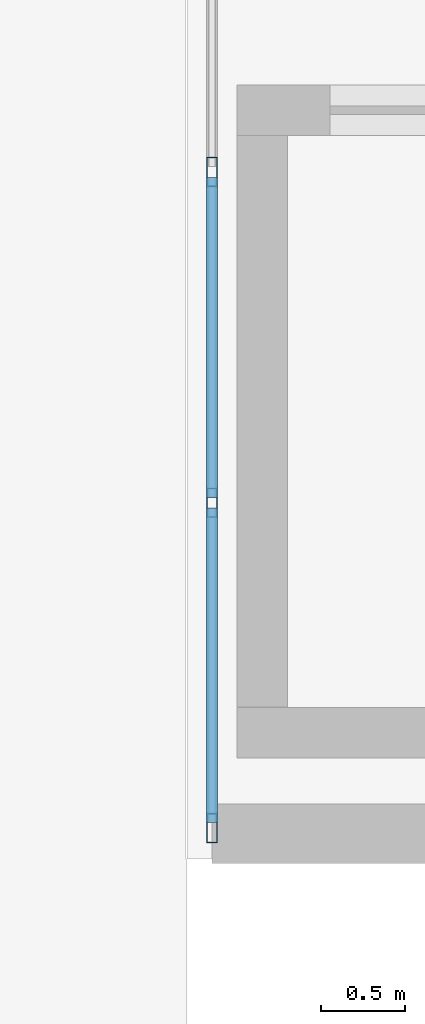
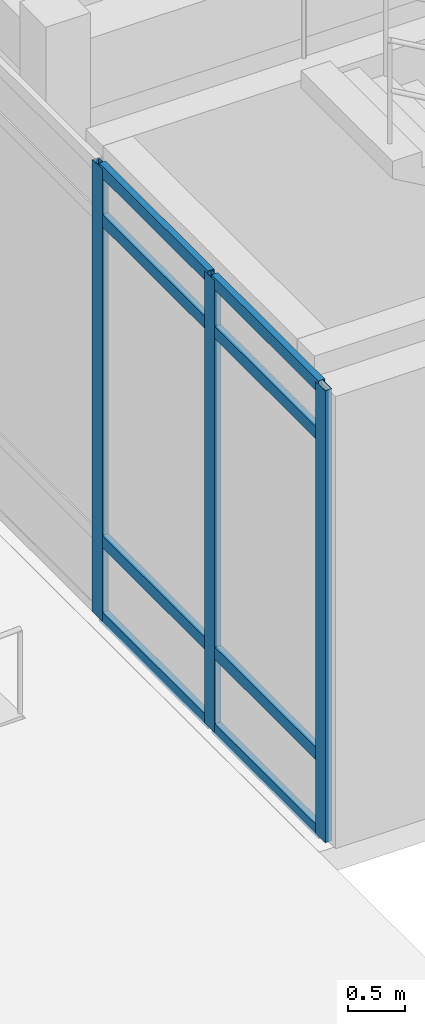
# One storey, part 73 of 121: 11 members, 1 element without a shape of its own.
"""IFC4 building model written with IfcOpenShell, lengths in metres."""

from ifc_helpers import new_model, si_unit, direction, frame, origin, origin_2d, place, context, subcontext, project, spatial, hollow_rectangle, extrude, material, layer, layer_set, material_profile, profile_set, type_object, element, aggregate, save


model = new_model("IFC4")

# Units and contexts
model_context = context("Model", 3, precision=1e-05, world=origin(), true_north=direction((0.0, 1.0)))
body_context = subcontext(model_context, "Body", "Model", "MODEL_VIEW")
ifc_project = project(units=[si_unit("LENGTHUNIT", "METRE"), si_unit("AREAUNIT", "SQUARE_METRE"), si_unit("VOLUMEUNIT", "CUBIC_METRE"), si_unit("PLANEANGLEUNIT", "RADIAN"), si_unit("MASSUNIT", "GRAM", prefix="KILO")], contexts=[model_context])

# Site, building, storey
site_placement = place(None, origin())
site = spatial("IfcSite", under=ifc_project, at=site_placement, CompositionType="ELEMENT")
building_placement = place(site_placement, origin())
building = spatial("IfcBuilding", under=site, at=building_placement, Name="Valcora Specialist Clinic", CompositionType="ELEMENT")
storey_placement = place(building_placement, origin())
storey = spatial("IfcBuildingStorey", under=building, at=storey_placement, Name="L00", CompositionType="ELEMENT", Elevation=0.0)

# Curtain wall, members
ifc_material = material(Name="Anodized Bronze Aluminium 6063-T6", Category="aluminium")
ifc_layer = layer(ifc_material, 0.175048828125)
ifc_layer_set = layer_set([ifc_layer], Name="Anodized Bronze Aluminium 6063-T6")
curtain_wall_type = type_object("IfcCurtainWallType", Name="TY-CW-HAL18", PredefinedType="NOTDEFINED", material=ifc_layer_set)
curtain_wall_placement = place(storey_placement, origin())
curtain_wall = element("IfcCurtainWall", 1, at=curtain_wall_placement, inside=storey, type_object=curtain_wall_type, Name="Curtain wall CW-L00-015", PredefinedType="NOTDEFINED")
ifc_material_profile_1 = material_profile(ifc_material, hollow_rectangle(XDim=0.06494140625, YDim=0.175048828125, WallThickness=0.00390625, at=origin_2d()), Name="AL-MUL-65X175")
ifc_profile_set_1 = profile_set([ifc_material_profile_1], Name="Anodized Bronze Aluminium 6063-T6")
member_type_1 = type_object("IfcMemberType", Name="TY-CWM-65X175", PredefinedType="MULLION", material=ifc_profile_set_1)
member_1_placement = place(storey_placement, frame((131.75, 38.1826171875, 0.0), z_axis=(0.0, 0.0, 1.0), x_axis=(-1.0, 0.0, 0.0)))
member_1 = element("IfcMember", 2, at=member_1_placement, type_object=member_type_1, Name="CW-HAL-18 mullion 1", PredefinedType="MULLION", context=body_context, shape_type="SweptSolid", body=[
    extrude(hollow_rectangle(XDim=0.06494140625, YDim=0.175048828125, WallThickness=0.00390625, at=origin_2d()), origin(), (0.0, 0.0, 1.0), 4.824951171875),
])
member_2_placement = place(storey_placement, frame((131.75, 40.11669921875, 0.0), z_axis=(0.0, 0.0, 1.0), x_axis=(-1.0, 0.0, 0.0)))
member_2 = element("IfcMember", 3, at=member_2_placement, type_object=member_type_1, Name="CW-HAL-18 mullion 2", PredefinedType="MULLION", context=body_context, shape_type="SweptSolid", body=[
    extrude(hollow_rectangle(XDim=0.06494140625, YDim=0.175048828125, WallThickness=0.00390625, at=origin_2d()), origin(), (0.0, 0.0, 1.0), 4.824951171875),
])
member_3_placement = place(storey_placement, frame((131.75, 42.083251953125, 0.0), z_axis=(0.0, 0.0, 1.0), x_axis=(-1.0, 0.0, 0.0)))
member_3 = element("IfcMember", 4, at=member_3_placement, type_object=member_type_1, Name="CW-HAL-18 mullion 3", PredefinedType="MULLION", context=body_context, shape_type="SweptSolid", body=[
    extrude(hollow_rectangle(XDim=0.06494140625, YDim=0.175048828125, WallThickness=0.00390625, at=origin_2d()), origin(), (0.0, 0.0, 1.0), 4.824951171875),
])
ifc_material_profile_2 = material_profile(ifc_material, hollow_rectangle(XDim=0.06494140625, YDim=0.1298828125, WallThickness=0.00390625, at=origin_2d()), Name="AL-TRN-65X130")
ifc_profile_set_2 = profile_set([ifc_material_profile_2], Name="Anodized Bronze Aluminium 6063-T6")
member_type_2 = type_object("IfcMemberType", Name="TY-CWT-65X130", PredefinedType="USERDEFINED", material=ifc_profile_set_2)
member_4_placement = place(storey_placement, frame((131.75, 38.215087890625, 0.032470703125), z_axis=(0.0, 1.0, 0.0), x_axis=(-1.0, 0.0, 0.0)))
member_4 = element("IfcMember", 5, at=member_4_placement, type_object=member_type_2, Name="CW-HAL-18 transom 1.1", ObjectType="TRANSOM", PredefinedType="USERDEFINED", context=body_context, shape_type="SweptSolid", body=[
    extrude(hollow_rectangle(XDim=0.06494140625, YDim=0.1298828125, WallThickness=0.00390625, at=origin_2d()), origin(), (0.0, 0.0, 1.0), 1.869140625),
])
member_5_placement = place(storey_placement, frame((131.75, 38.215087890625, 0.85009765625), z_axis=(0.0, 1.0, 0.0), x_axis=(-1.0, 0.0, 0.0)))
member_5 = element("IfcMember", 6, at=member_5_placement, type_object=member_type_2, Name="CW-HAL-18 transom 1.2", ObjectType="TRANSOM", PredefinedType="USERDEFINED", context=body_context, shape_type="SweptSolid", body=[
    extrude(hollow_rectangle(XDim=0.06494140625, YDim=0.1298828125, WallThickness=0.00390625, at=origin_2d()), origin(), (0.0, 0.0, 1.0), 1.869140625),
])
member_6_placement = place(storey_placement, frame((131.75, 38.215087890625, 4.27490234375), z_axis=(0.0, 1.0, 0.0), x_axis=(-1.0, 0.0, 0.0)))
member_6 = element("IfcMember", 7, at=member_6_placement, type_object=member_type_2, Name="CW-HAL-18 transom 1.3", ObjectType="TRANSOM", PredefinedType="USERDEFINED", context=body_context, shape_type="SweptSolid", body=[
    extrude(hollow_rectangle(XDim=0.06494140625, YDim=0.1298828125, WallThickness=0.00390625, at=origin_2d()), origin(), (0.0, 0.0, 1.0), 1.869140625),
])
member_7_placement = place(storey_placement, frame((131.75, 38.215087890625, 4.79248046875), z_axis=(0.0, 1.0, 0.0), x_axis=(-1.0, 0.0, 0.0)))
member_7 = element("IfcMember", 8, at=member_7_placement, type_object=member_type_2, Name="CW-HAL-18 transom 1.4", ObjectType="TRANSOM", PredefinedType="USERDEFINED", context=body_context, shape_type="SweptSolid", body=[
    extrude(hollow_rectangle(XDim=0.06494140625, YDim=0.1298828125, WallThickness=0.00390625, at=origin_2d()), origin(), (0.0, 0.0, 1.0), 1.869140625),
])
member_8_placement = place(storey_placement, frame((131.75, 40.149169921875, 0.032470703125), z_axis=(0.0, 1.0, 0.0), x_axis=(-1.0, 0.0, 0.0)))
member_8 = element("IfcMember", 9, at=member_8_placement, type_object=member_type_2, Name="CW-HAL-18 transom 2.1", ObjectType="TRANSOM", PredefinedType="USERDEFINED", context=body_context, shape_type="SweptSolid", body=[
    extrude(hollow_rectangle(XDim=0.06494140625, YDim=0.1298828125, WallThickness=0.00390625, at=origin_2d()), origin(), (0.0, 0.0, 1.0), 1.901611328125),
])
member_9_placement = place(storey_placement, frame((131.75, 40.149169921875, 0.85009765625), z_axis=(0.0, 1.0, 0.0), x_axis=(-1.0, 0.0, 0.0)))
member_9 = element("IfcMember", 10, at=member_9_placement, type_object=member_type_2, Name="CW-HAL-18 transom 2.2", ObjectType="TRANSOM", PredefinedType="USERDEFINED", context=body_context, shape_type="SweptSolid", body=[
    extrude(hollow_rectangle(XDim=0.06494140625, YDim=0.1298828125, WallThickness=0.00390625, at=origin_2d()), origin(), (0.0, 0.0, 1.0), 1.901611328125),
])
member_10_placement = place(storey_placement, frame((131.75, 40.149169921875, 4.27490234375), z_axis=(0.0, 1.0, 0.0), x_axis=(-1.0, 0.0, 0.0)))
member_10 = element("IfcMember", 11, at=member_10_placement, type_object=member_type_2, Name="CW-HAL-18 transom 2.3", ObjectType="TRANSOM", PredefinedType="USERDEFINED", context=body_context, shape_type="SweptSolid", body=[
    extrude(hollow_rectangle(XDim=0.06494140625, YDim=0.1298828125, WallThickness=0.00390625, at=origin_2d()), origin(), (0.0, 0.0, 1.0), 1.901611328125),
])
member_11_placement = place(storey_placement, frame((131.75, 40.149169921875, 4.79248046875), z_axis=(0.0, 1.0, 0.0), x_axis=(-1.0, 0.0, 0.0)))
member_11 = element("IfcMember", 12, at=member_11_placement, type_object=member_type_2, Name="CW-HAL-18 transom 2.4", ObjectType="TRANSOM", PredefinedType="USERDEFINED", context=body_context, shape_type="SweptSolid", body=[
    extrude(hollow_rectangle(XDim=0.06494140625, YDim=0.1298828125, WallThickness=0.00390625, at=origin_2d()), origin(), (0.0, 0.0, 1.0), 1.901611328125),
])
aggregate(curtain_wall, [member_1, member_2, member_3, member_4, member_5, member_6, member_7, member_8, member_9, member_10, member_11])

save(model, "model.ifc")
